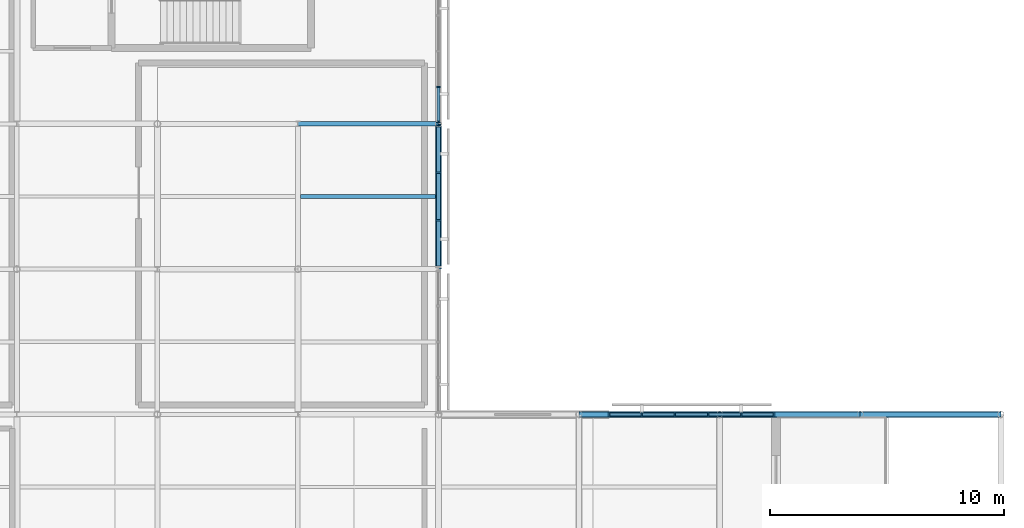
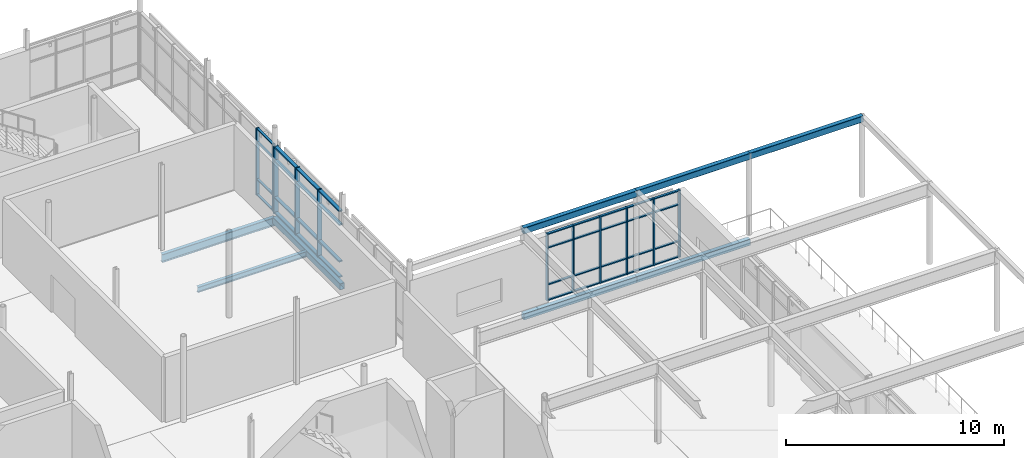
# One storey, part 32 of 48: 47 members, 8 beams, 3 elements without a shape of their own.
"""IFC4 building model written with IfcOpenShell, lengths in metres."""

from ifc_helpers import new_model, si_unit, direction, frame, origin, origin_2d, place, context, subcontext, project, spatial, rectangle, hollow_rectangle, i_section, extrude, material, layer, layer_set, material_profile, profile_set, type_object, element, aggregate, save


model = new_model("IFC4")

# Units and contexts
model_context = context("Model", 3, precision=1e-05, world=origin(), true_north=direction((0.0, 1.0)))
body_context = subcontext(model_context, "Body", "Model", "MODEL_VIEW")
ifc_project = project(units=[si_unit("LENGTHUNIT", "METRE"), si_unit("AREAUNIT", "SQUARE_METRE"), si_unit("VOLUMEUNIT", "CUBIC_METRE"), si_unit("PLANEANGLEUNIT", "RADIAN"), si_unit("MASSUNIT", "GRAM", prefix="KILO")], contexts=[model_context])

# Site, building, storey
site_placement = place(None, origin())
site = spatial("IfcSite", under=ifc_project, at=site_placement, CompositionType="ELEMENT")
building_placement = place(site_placement, origin())
building = spatial("IfcBuilding", under=site, at=building_placement, Name="Mirzam Square Science Centre", CompositionType="ELEMENT")
storey_placement = place(building_placement, frame((0.0, 0.0, 20.39990234375)))
storey = spatial("IfcBuildingStorey", under=building, at=storey_placement, Name="L04", CompositionType="ELEMENT", Elevation=20.39990234375)

# Beam
ifc_material_1 = material(Name="Steel S355", Category="steel")
ifc_material_profile_1 = material_profile(ifc_material_1, i_section(OverallWidth=0.19140625, OverallDepth=0.4599609375, WebThickness=0.010009765625, FlangeThickness=0.01611328125, FilletRadius=0.01025390625, at=origin_2d()), Name="457x191x82UB")
ifc_profile_set_1 = profile_set([ifc_material_profile_1], Name="Steel S355")
beam_type_1 = type_object("IfcBeamType", Name="BM-UB457", PredefinedType="BEAM", material=ifc_profile_set_1)
beam_1_placement = place(storey_placement, frame((132.0, 99.199951171875, -0.47998046875), z_axis=(1.0, 0.0, 0.0), x_axis=(0.0, 1.0, 0.0)))
element("IfcBeam", 1, at=beam_1_placement, inside=storey, type_object=beam_type_1, Name="L04 girder X23-17", PredefinedType="BEAM", context=body_context, shape_type="SweptSolid", body=[
    extrude(i_section(OverallWidth=0.19140625, OverallDepth=0.4599609375, WebThickness=0.010009765625, FlangeThickness=0.01611328125, FilletRadius=0.01025390625, at=origin_2d()), origin(), (0.0, 0.0, 1.0), 6.0),
])

# Curtain wall, members
ifc_material_2 = material(Name="Anodised Aluminium and Low-E Solar Glass", Category="aluminium")
ifc_layer_1 = layer(ifc_material_2, 0.159912109375)
ifc_layer_set_1 = layer_set([ifc_layer_1], Name="CW-COURT-B")
curtain_wall_type_1 = type_object("IfcCurtainWallType", Name="CW-COURT-B", PredefinedType="USERDEFINED", material=ifc_layer_set_1)
curtain_wall_1_placement = place(storey_placement, origin())
curtain_wall_1 = element("IfcCurtainWall", 2, at=curtain_wall_1_placement, inside=storey, type_object=curtain_wall_type_1, Name="L04 unitised curtain wall 152", ObjectType="UNITISED CURTAIN WALL", PredefinedType="USERDEFINED")
ifc_material_3 = material(Name="Anodised Architectural Aluminium 6063-T6", Category="aluminium")
ifc_material_profile_2 = material_profile(ifc_material_3, rectangle(XDim=0.06005859375, YDim=0.159912109375, at=origin_2d()), Name="ALU-MULL-160x60x4")
ifc_profile_set_2 = profile_set([ifc_material_profile_2], Name="Anodised Architectural Aluminium 6063-T6")
member_type_1 = type_object("IfcMemberType", Name="CWM-160", PredefinedType="MULLION", material=ifc_profile_set_2)
member_1_placement = place(storey_placement, frame((152.31494140625, 86.800048828125, 0.0), z_axis=(0.0, 0.0, 1.0), x_axis=(-1.0, 0.0, 0.0)))
member_1 = element("IfcMember", 3, at=member_1_placement, type_object=member_type_1, Name="CW-04 mullion 1", PredefinedType="MULLION", context=body_context, shape_type="SweptSolid", body=[
    extrude(rectangle(XDim=0.06005859375, YDim=0.159912109375, at=origin_2d()), origin(), (0.0, 0.0, 1.0), 3.760009765625),
])
member_2_placement = place(storey_placement, frame((150.927001953125, 86.800048828125, 0.0), z_axis=(0.0, 0.0, 1.0), x_axis=(-1.0, 0.0, 0.0)))
member_2 = element("IfcMember", 4, at=member_2_placement, type_object=member_type_1, Name="CW-04 mullion 2", PredefinedType="MULLION", context=body_context, shape_type="SweptSolid", body=[
    extrude(rectangle(XDim=0.06005859375, YDim=0.159912109375, at=origin_2d()), origin(), (0.0, 0.0, 1.0), 3.760009765625),
])
member_3_placement = place(storey_placement, frame((149.509033203125, 86.800048828125, 0.0), z_axis=(0.0, 0.0, 1.0), x_axis=(-1.0, 0.0, 0.0)))
member_3 = element("IfcMember", 5, at=member_3_placement, type_object=member_type_1, Name="CW-04 mullion 3", PredefinedType="MULLION", context=body_context, shape_type="SweptSolid", body=[
    extrude(rectangle(XDim=0.06005859375, YDim=0.159912109375, at=origin_2d()), origin(), (0.0, 0.0, 1.0), 3.760009765625),
])
member_4_placement = place(storey_placement, frame((148.091064453125, 86.800048828125, 0.0), z_axis=(0.0, 0.0, 1.0), x_axis=(-1.0, 0.0, 0.0)))
member_4 = element("IfcMember", 6, at=member_4_placement, type_object=member_type_1, Name="CW-04 mullion 4", PredefinedType="MULLION", context=body_context, shape_type="SweptSolid", body=[
    extrude(rectangle(XDim=0.06005859375, YDim=0.159912109375, at=origin_2d()), origin(), (0.0, 0.0, 1.0), 3.760009765625),
])
member_5_placement = place(storey_placement, frame((146.673095703125, 86.800048828125, 0.0), z_axis=(0.0, 0.0, 1.0), x_axis=(-1.0, 0.0, 0.0)))
member_5 = element("IfcMember", 7, at=member_5_placement, type_object=member_type_1, Name="CW-04 mullion 5", PredefinedType="MULLION", context=body_context, shape_type="SweptSolid", body=[
    extrude(rectangle(XDim=0.06005859375, YDim=0.159912109375, at=origin_2d()), origin(), (0.0, 0.0, 1.0), 3.760009765625),
])
member_6_placement = place(storey_placement, frame((145.284912109375, 86.800048828125, 0.0), z_axis=(0.0, 0.0, 1.0), x_axis=(-1.0, 0.0, 0.0)))
member_6 = element("IfcMember", 8, at=member_6_placement, type_object=member_type_1, Name="CW-04 mullion 6", PredefinedType="MULLION", context=body_context, shape_type="SweptSolid", body=[
    extrude(rectangle(XDim=0.06005859375, YDim=0.159912109375, at=origin_2d()), origin(), (0.0, 0.0, 1.0), 3.760009765625),
])

ifc_layer_2 = layer(ifc_material_2, 0.219970703125)
ifc_layer_set_2 = layer_set([ifc_layer_2], Name="CW-OBS-A")
curtain_wall_type_2 = type_object("IfcCurtainWallType", Name="CW-OBS-A", PredefinedType="USERDEFINED", material=ifc_layer_set_2)
curtain_wall_2_placement = place(storey_placement, origin())
curtain_wall_2 = element("IfcCurtainWall", 9, at=curtain_wall_2_placement, inside=storey, type_object=curtain_wall_type_2, Name="L04 unitised curtain wall 163", ObjectType="UNITISED CURTAIN WALL", PredefinedType="USERDEFINED")
member_7_placement = place(storey_placement, frame((138.0, 99.284912109375, 0.0), z_axis=(0.0, 0.0, 1.0), x_axis=(0.0, 1.0, 0.0)))
member_7 = element("IfcMember", 10, at=member_7_placement, type_object=member_type_1, Name="CW-07 mullion 1", PredefinedType="MULLION", context=body_context, shape_type="SweptSolid", body=[
    extrude(rectangle(XDim=0.06005859375, YDim=0.159912109375, at=origin_2d()), origin(), (0.0, 0.0, 1.0), 3.760009765625),
])
member_8_placement = place(storey_placement, frame((138.0, 100.777587890625, 0.0), z_axis=(0.0, 0.0, 1.0), x_axis=(0.0, 1.0, 0.0)))
member_8 = element("IfcMember", 11, at=member_8_placement, type_object=member_type_1, Name="CW-07 mullion 2", PredefinedType="MULLION", context=body_context, shape_type="SweptSolid", body=[
    extrude(rectangle(XDim=0.06005859375, YDim=0.159912109375, at=origin_2d()), origin(), (0.0, 0.0, 1.0), 3.760009765625),
])

ifc_layer_3 = layer(ifc_material_2, 0.239990234375)
ifc_layer_set_3 = layer_set([ifc_layer_3], Name="CW-EAST-B")
curtain_wall_type_3 = type_object("IfcCurtainWallType", Name="CW-EAST-B", PredefinedType="USERDEFINED", material=ifc_layer_set_3)
curtain_wall_3_placement = place(storey_placement, origin())
curtain_wall_3 = element("IfcCurtainWall", 12, at=curtain_wall_3_placement, inside=storey, type_object=curtain_wall_type_3, Name="L04 unitised curtain wall 161", ObjectType="UNITISED CURTAIN WALL", PredefinedType="USERDEFINED")
ifc_material_profile_3 = material_profile(ifc_material_3, rectangle(XDim=0.074951171875, YDim=0.239990234375, at=origin_2d()), Name="ALU-MULL-240x75x5")
ifc_profile_set_3 = profile_set([ifc_material_profile_3], Name="Anodised Architectural Aluminium 6063-T6")
member_type_2 = type_object("IfcMemberType", Name="CWM-240", PredefinedType="MULLION", material=ifc_profile_set_3)
member_9_placement = place(storey_placement, frame((138.0, 95.0849609375, 0.0), z_axis=(0.0, 0.0, 1.0), x_axis=(0.0, 1.0, 0.0)))
member_9 = element("IfcMember", 13, at=member_9_placement, type_object=member_type_2, Name="CW-06 mullion 2", PredefinedType="MULLION", context=body_context, shape_type="SweptSolid", body=[
    extrude(rectangle(XDim=0.074951171875, YDim=0.239990234375, at=origin_2d()), origin(), (0.0, 0.0, 1.0), 3.760009765625),
])
member_10_placement = place(storey_placement, frame((138.0, 97.114990234375, 0.0), z_axis=(0.0, 0.0, 1.0), x_axis=(0.0, 1.0, 0.0)))
member_10 = element("IfcMember", 14, at=member_10_placement, type_object=member_type_2, Name="CW-06 mullion 3", PredefinedType="MULLION", context=body_context, shape_type="SweptSolid", body=[
    extrude(rectangle(XDim=0.074951171875, YDim=0.239990234375, at=origin_2d()), origin(), (0.0, 0.0, 1.0), 3.760009765625),
])
member_11_placement = place(storey_placement, frame((138.0, 99.107421875, 0.0), z_axis=(0.0, 0.0, 1.0), x_axis=(0.0, 1.0, 0.0)))
member_11 = element("IfcMember", 15, at=member_11_placement, type_object=member_type_2, Name="CW-06 mullion 4", PredefinedType="MULLION", context=body_context, shape_type="SweptSolid", body=[
    extrude(rectangle(XDim=0.074951171875, YDim=0.239990234375, at=origin_2d()), origin(), (0.0, 0.0, 1.0), 3.760009765625),
])

# Member
ifc_material_profile_4 = material_profile(ifc_material_3, rectangle(XDim=0.1201171875, YDim=0.06005859375, at=origin_2d()), Name="ALU-TRAN-120x60x4")
ifc_profile_set_4 = profile_set([ifc_material_profile_4], Name="Anodised Architectural Aluminium 6063-T6")
member_type_3 = type_object("IfcMemberType", Name="CWT-120", PredefinedType="USERDEFINED", material=ifc_profile_set_4)
member_12_placement = place(storey_placement, frame((152.284912109375, 86.800048828125, 0.030029296875), z_axis=(-1.0, 0.0, 0.0), x_axis=(0.0, -1.0, 0.0)))
member_12 = element("IfcMember", 16, at=member_12_placement, type_object=member_type_3, Name="CW-04 transom 1.1", ObjectType="TRANSOM", PredefinedType="USERDEFINED", context=body_context, shape_type="SweptSolid", body=[
    extrude(rectangle(XDim=0.1201171875, YDim=0.06005859375, at=origin_2d()), origin(), (0.0, 0.0, 1.0), 1.327880859375),
])

member_13_placement = place(storey_placement, frame((152.284912109375, 86.800048828125, 0.900146484375), z_axis=(-1.0, 0.0, 0.0), x_axis=(0.0, -1.0, 0.0)))
member_13 = element("IfcMember", 17, at=member_13_placement, type_object=member_type_3, Name="CW-04 transom 1.2", ObjectType="TRANSOM", PredefinedType="USERDEFINED", context=body_context, shape_type="SweptSolid", body=[
    extrude(rectangle(XDim=0.1201171875, YDim=0.06005859375, at=origin_2d()), origin(), (0.0, 0.0, 1.0), 1.327880859375),
])

member_14_placement = place(storey_placement, frame((152.284912109375, 86.800048828125, 2.960205078125), z_axis=(-1.0, 0.0, 0.0), x_axis=(0.0, -1.0, 0.0)))
member_14 = element("IfcMember", 18, at=member_14_placement, type_object=member_type_3, Name="CW-04 transom 1.3", ObjectType="TRANSOM", PredefinedType="USERDEFINED", context=body_context, shape_type="SweptSolid", body=[
    extrude(rectangle(XDim=0.1201171875, YDim=0.06005859375, at=origin_2d()), origin(), (0.0, 0.0, 1.0), 1.327880859375),
])

member_15_placement = place(storey_placement, frame((152.284912109375, 86.800048828125, 3.72998046875), z_axis=(-1.0, 0.0, 0.0), x_axis=(0.0, -1.0, 0.0)))
member_15 = element("IfcMember", 19, at=member_15_placement, type_object=member_type_3, Name="CW-04 transom 1.4", ObjectType="TRANSOM", PredefinedType="USERDEFINED", context=body_context, shape_type="SweptSolid", body=[
    extrude(rectangle(XDim=0.1201171875, YDim=0.06005859375, at=origin_2d()), origin(), (0.0, 0.0, 1.0), 1.327880859375),
])

member_16_placement = place(storey_placement, frame((150.89697265625, 86.800048828125, 0.030029296875), z_axis=(-1.0, 0.0, 0.0), x_axis=(0.0, -1.0, 0.0)))
member_16 = element("IfcMember", 20, at=member_16_placement, type_object=member_type_3, Name="CW-04 transom 2.1", ObjectType="TRANSOM", PredefinedType="USERDEFINED", context=body_context, shape_type="SweptSolid", body=[
    extrude(rectangle(XDim=0.1201171875, YDim=0.06005859375, at=origin_2d()), origin(), (0.0, 0.0, 1.0), 1.35791015625),
])

member_17_placement = place(storey_placement, frame((150.89697265625, 86.800048828125, 0.900146484375), z_axis=(-1.0, 0.0, 0.0), x_axis=(0.0, -1.0, 0.0)))
member_17 = element("IfcMember", 21, at=member_17_placement, type_object=member_type_3, Name="CW-04 transom 2.2", ObjectType="TRANSOM", PredefinedType="USERDEFINED", context=body_context, shape_type="SweptSolid", body=[
    extrude(rectangle(XDim=0.1201171875, YDim=0.06005859375, at=origin_2d()), origin(), (0.0, 0.0, 1.0), 1.35791015625),
])

member_18_placement = place(storey_placement, frame((150.89697265625, 86.800048828125, 2.960205078125), z_axis=(-1.0, 0.0, 0.0), x_axis=(0.0, -1.0, 0.0)))
member_18 = element("IfcMember", 22, at=member_18_placement, type_object=member_type_3, Name="CW-04 transom 2.3", ObjectType="TRANSOM", PredefinedType="USERDEFINED", context=body_context, shape_type="SweptSolid", body=[
    extrude(rectangle(XDim=0.1201171875, YDim=0.06005859375, at=origin_2d()), origin(), (0.0, 0.0, 1.0), 1.35791015625),
])

member_19_placement = place(storey_placement, frame((150.89697265625, 86.800048828125, 3.72998046875), z_axis=(-1.0, 0.0, 0.0), x_axis=(0.0, -1.0, 0.0)))
member_19 = element("IfcMember", 23, at=member_19_placement, type_object=member_type_3, Name="CW-04 transom 2.4", ObjectType="TRANSOM", PredefinedType="USERDEFINED", context=body_context, shape_type="SweptSolid", body=[
    extrude(rectangle(XDim=0.1201171875, YDim=0.06005859375, at=origin_2d()), origin(), (0.0, 0.0, 1.0), 1.35791015625),
])

member_20_placement = place(storey_placement, frame((149.47900390625, 86.800048828125, 0.030029296875), z_axis=(-1.0, 0.0, 0.0), x_axis=(0.0, -1.0, 0.0)))
member_20 = element("IfcMember", 24, at=member_20_placement, type_object=member_type_3, Name="CW-04 transom 3.1", ObjectType="TRANSOM", PredefinedType="USERDEFINED", context=body_context, shape_type="SweptSolid", body=[
    extrude(rectangle(XDim=0.1201171875, YDim=0.06005859375, at=origin_2d()), origin(), (0.0, 0.0, 1.0), 1.35791015625),
])

member_21_placement = place(storey_placement, frame((149.47900390625, 86.800048828125, 0.900146484375), z_axis=(-1.0, 0.0, 0.0), x_axis=(0.0, -1.0, 0.0)))
member_21 = element("IfcMember", 25, at=member_21_placement, type_object=member_type_3, Name="CW-04 transom 3.2", ObjectType="TRANSOM", PredefinedType="USERDEFINED", context=body_context, shape_type="SweptSolid", body=[
    extrude(rectangle(XDim=0.1201171875, YDim=0.06005859375, at=origin_2d()), origin(), (0.0, 0.0, 1.0), 1.35791015625),
])

member_22_placement = place(storey_placement, frame((149.47900390625, 86.800048828125, 2.960205078125), z_axis=(-1.0, 0.0, 0.0), x_axis=(0.0, -1.0, 0.0)))
member_22 = element("IfcMember", 26, at=member_22_placement, type_object=member_type_3, Name="CW-04 transom 3.3", ObjectType="TRANSOM", PredefinedType="USERDEFINED", context=body_context, shape_type="SweptSolid", body=[
    extrude(rectangle(XDim=0.1201171875, YDim=0.06005859375, at=origin_2d()), origin(), (0.0, 0.0, 1.0), 1.35791015625),
])

member_23_placement = place(storey_placement, frame((149.47900390625, 86.800048828125, 3.72998046875), z_axis=(-1.0, 0.0, 0.0), x_axis=(0.0, -1.0, 0.0)))
member_23 = element("IfcMember", 27, at=member_23_placement, type_object=member_type_3, Name="CW-04 transom 3.4", ObjectType="TRANSOM", PredefinedType="USERDEFINED", context=body_context, shape_type="SweptSolid", body=[
    extrude(rectangle(XDim=0.1201171875, YDim=0.06005859375, at=origin_2d()), origin(), (0.0, 0.0, 1.0), 1.35791015625),
])

member_24_placement = place(storey_placement, frame((148.06103515625, 86.800048828125, 0.030029296875), z_axis=(-1.0, 0.0, 0.0), x_axis=(0.0, -1.0, 0.0)))
member_24 = element("IfcMember", 28, at=member_24_placement, type_object=member_type_3, Name="CW-04 transom 4.1", ObjectType="TRANSOM", PredefinedType="USERDEFINED", context=body_context, shape_type="SweptSolid", body=[
    extrude(rectangle(XDim=0.1201171875, YDim=0.06005859375, at=origin_2d()), origin(), (0.0, 0.0, 1.0), 1.358154296875),
])

member_25_placement = place(storey_placement, frame((148.06103515625, 86.800048828125, 0.900146484375), z_axis=(-1.0, 0.0, 0.0), x_axis=(0.0, -1.0, 0.0)))
member_25 = element("IfcMember", 29, at=member_25_placement, type_object=member_type_3, Name="CW-04 transom 4.2", ObjectType="TRANSOM", PredefinedType="USERDEFINED", context=body_context, shape_type="SweptSolid", body=[
    extrude(rectangle(XDim=0.1201171875, YDim=0.06005859375, at=origin_2d()), origin(), (0.0, 0.0, 1.0), 1.358154296875),
])

member_26_placement = place(storey_placement, frame((148.06103515625, 86.800048828125, 2.960205078125), z_axis=(-1.0, 0.0, 0.0), x_axis=(0.0, -1.0, 0.0)))
member_26 = element("IfcMember", 30, at=member_26_placement, type_object=member_type_3, Name="CW-04 transom 4.3", ObjectType="TRANSOM", PredefinedType="USERDEFINED", context=body_context, shape_type="SweptSolid", body=[
    extrude(rectangle(XDim=0.1201171875, YDim=0.06005859375, at=origin_2d()), origin(), (0.0, 0.0, 1.0), 1.358154296875),
])

member_27_placement = place(storey_placement, frame((148.06103515625, 86.800048828125, 3.72998046875), z_axis=(-1.0, 0.0, 0.0), x_axis=(0.0, -1.0, 0.0)))
member_27 = element("IfcMember", 31, at=member_27_placement, type_object=member_type_3, Name="CW-04 transom 4.4", ObjectType="TRANSOM", PredefinedType="USERDEFINED", context=body_context, shape_type="SweptSolid", body=[
    extrude(rectangle(XDim=0.1201171875, YDim=0.06005859375, at=origin_2d()), origin(), (0.0, 0.0, 1.0), 1.358154296875),
])

member_28_placement = place(storey_placement, frame((146.64306640625, 86.800048828125, 0.030029296875), z_axis=(-1.0, 0.0, 0.0), x_axis=(0.0, -1.0, 0.0)))
member_28 = element("IfcMember", 32, at=member_28_placement, type_object=member_type_3, Name="CW-04 transom 5.1", ObjectType="TRANSOM", PredefinedType="USERDEFINED", context=body_context, shape_type="SweptSolid", body=[
    extrude(rectangle(XDim=0.1201171875, YDim=0.06005859375, at=origin_2d()), origin(), (0.0, 0.0, 1.0), 1.328125),
])

member_29_placement = place(storey_placement, frame((146.64306640625, 86.800048828125, 0.900146484375), z_axis=(-1.0, 0.0, 0.0), x_axis=(0.0, -1.0, 0.0)))
member_29 = element("IfcMember", 33, at=member_29_placement, type_object=member_type_3, Name="CW-04 transom 5.2", ObjectType="TRANSOM", PredefinedType="USERDEFINED", context=body_context, shape_type="SweptSolid", body=[
    extrude(rectangle(XDim=0.1201171875, YDim=0.06005859375, at=origin_2d()), origin(), (0.0, 0.0, 1.0), 1.328125),
])

member_30_placement = place(storey_placement, frame((146.64306640625, 86.800048828125, 2.960205078125), z_axis=(-1.0, 0.0, 0.0), x_axis=(0.0, -1.0, 0.0)))
member_30 = element("IfcMember", 34, at=member_30_placement, type_object=member_type_3, Name="CW-04 transom 5.3", ObjectType="TRANSOM", PredefinedType="USERDEFINED", context=body_context, shape_type="SweptSolid", body=[
    extrude(rectangle(XDim=0.1201171875, YDim=0.06005859375, at=origin_2d()), origin(), (0.0, 0.0, 1.0), 1.328125),
])

member_31_placement = place(storey_placement, frame((146.64306640625, 86.800048828125, 3.72998046875), z_axis=(-1.0, 0.0, 0.0), x_axis=(0.0, -1.0, 0.0)))
member_31 = element("IfcMember", 35, at=member_31_placement, type_object=member_type_3, Name="CW-04 transom 5.4", ObjectType="TRANSOM", PredefinedType="USERDEFINED", context=body_context, shape_type="SweptSolid", body=[
    extrude(rectangle(XDim=0.1201171875, YDim=0.06005859375, at=origin_2d()), origin(), (0.0, 0.0, 1.0), 1.328125),
])

aggregate(curtain_wall_1, [member_1, member_2, member_3, member_4, member_5, member_6, member_12, member_13, member_14, member_15, member_16, member_17, member_18, member_19, member_20, member_21, member_22, member_23, member_24, member_25, member_26, member_27, member_28, member_29, member_30, member_31])

member_32_placement = place(storey_placement, frame((138.0, 99.31494140625, 0.030029296875), z_axis=(0.0, 1.0, 0.0), x_axis=(-1.0, 0.0, 0.0)))
member_32 = element("IfcMember", 36, at=member_32_placement, type_object=member_type_3, Name="CW-07 transom 1.1", ObjectType="TRANSOM", PredefinedType="USERDEFINED", context=body_context, shape_type="SweptSolid", body=[
    extrude(rectangle(XDim=0.1201171875, YDim=0.06005859375, at=origin_2d()), origin(), (0.0, 0.0, 1.0), 1.4326171875),
])

member_33_placement = place(storey_placement, frame((138.0, 99.31494140625, 0.900146484375), z_axis=(0.0, 1.0, 0.0), x_axis=(-1.0, 0.0, 0.0)))
member_33 = element("IfcMember", 37, at=member_33_placement, type_object=member_type_3, Name="CW-07 transom 1.2", ObjectType="TRANSOM", PredefinedType="USERDEFINED", context=body_context, shape_type="SweptSolid", body=[
    extrude(rectangle(XDim=0.1201171875, YDim=0.06005859375, at=origin_2d()), origin(), (0.0, 0.0, 1.0), 1.4326171875),
])

member_34_placement = place(storey_placement, frame((138.0, 99.31494140625, 2.960205078125), z_axis=(0.0, 1.0, 0.0), x_axis=(-1.0, 0.0, 0.0)))
member_34 = element("IfcMember", 38, at=member_34_placement, type_object=member_type_3, Name="CW-07 transom 1.3", ObjectType="TRANSOM", PredefinedType="USERDEFINED", context=body_context, shape_type="SweptSolid", body=[
    extrude(rectangle(XDim=0.1201171875, YDim=0.06005859375, at=origin_2d()), origin(), (0.0, 0.0, 1.0), 1.4326171875),
])

member_35_placement = place(storey_placement, frame((138.0, 99.31494140625, 3.72998046875), z_axis=(0.0, 1.0, 0.0), x_axis=(-1.0, 0.0, 0.0)))
member_35 = element("IfcMember", 39, at=member_35_placement, type_object=member_type_3, Name="CW-07 transom 1.4", ObjectType="TRANSOM", PredefinedType="USERDEFINED", context=body_context, shape_type="SweptSolid", body=[
    extrude(rectangle(XDim=0.1201171875, YDim=0.06005859375, at=origin_2d()), origin(), (0.0, 0.0, 1.0), 1.4326171875),
])

aggregate(curtain_wall_2, [member_7, member_8, member_32, member_33, member_34, member_35])

ifc_material_profile_5 = material_profile(ifc_material_3, rectangle(XDim=0.179931640625, YDim=0.074951171875, at=origin_2d()), Name="ALU-TRAN-180x75x5")
ifc_profile_set_5 = profile_set([ifc_material_profile_5], Name="Anodised Architectural Aluminium 6063-T6")
member_type_4 = type_object("IfcMemberType", Name="CWT-180", PredefinedType="USERDEFINED", material=ifc_profile_set_5)
member_36_placement = place(storey_placement, frame((138.0, 93.1298828125, 0.03759765625), z_axis=(0.0, 1.0, 0.0), x_axis=(-1.0, 0.0, 0.0)))
member_36 = element("IfcMember", 40, at=member_36_placement, type_object=member_type_4, Name="CW-06 transom 1.1", ObjectType="TRANSOM", PredefinedType="USERDEFINED", context=body_context, shape_type="SweptSolid", body=[
    extrude(rectangle(XDim=0.179931640625, YDim=0.074951171875, at=origin_2d()), origin(), (0.0, 0.0, 1.0), 1.917724609375),
])

member_37_placement = place(storey_placement, frame((138.0, 93.1298828125, 0.900146484375), z_axis=(0.0, 1.0, 0.0), x_axis=(-1.0, 0.0, 0.0)))
member_37 = element("IfcMember", 41, at=member_37_placement, type_object=member_type_4, Name="CW-06 transom 1.2", ObjectType="TRANSOM", PredefinedType="USERDEFINED", context=body_context, shape_type="SweptSolid", body=[
    extrude(rectangle(XDim=0.179931640625, YDim=0.074951171875, at=origin_2d()), origin(), (0.0, 0.0, 1.0), 1.917724609375),
])

member_38_placement = place(storey_placement, frame((138.0, 93.1298828125, 2.960205078125), z_axis=(0.0, 1.0, 0.0), x_axis=(-1.0, 0.0, 0.0)))
member_38 = element("IfcMember", 42, at=member_38_placement, type_object=member_type_4, Name="CW-06 transom 1.3", ObjectType="TRANSOM", PredefinedType="USERDEFINED", context=body_context, shape_type="SweptSolid", body=[
    extrude(rectangle(XDim=0.179931640625, YDim=0.074951171875, at=origin_2d()), origin(), (0.0, 0.0, 1.0), 1.917724609375),
])

member_39_placement = place(storey_placement, frame((138.0, 93.1298828125, 3.72265625), z_axis=(0.0, 1.0, 0.0), x_axis=(-1.0, 0.0, 0.0)))
member_39 = element("IfcMember", 43, at=member_39_placement, type_object=member_type_4, Name="CW-06 transom 1.4", ObjectType="TRANSOM", PredefinedType="USERDEFINED", context=body_context, shape_type="SweptSolid", body=[
    extrude(rectangle(XDim=0.179931640625, YDim=0.074951171875, at=origin_2d()), origin(), (0.0, 0.0, 1.0), 1.917724609375),
])

member_40_placement = place(storey_placement, frame((138.0, 95.12255859375, 0.03759765625), z_axis=(0.0, 1.0, 0.0), x_axis=(-1.0, 0.0, 0.0)))
member_40 = element("IfcMember", 44, at=member_40_placement, type_object=member_type_4, Name="CW-06 transom 2.1", ObjectType="TRANSOM", PredefinedType="USERDEFINED", context=body_context, shape_type="SweptSolid", body=[
    extrude(rectangle(XDim=0.179931640625, YDim=0.074951171875, at=origin_2d()), origin(), (0.0, 0.0, 1.0), 1.954833984375),
])

member_41_placement = place(storey_placement, frame((138.0, 95.12255859375, 0.900146484375), z_axis=(0.0, 1.0, 0.0), x_axis=(-1.0, 0.0, 0.0)))
member_41 = element("IfcMember", 45, at=member_41_placement, type_object=member_type_4, Name="CW-06 transom 2.2", ObjectType="TRANSOM", PredefinedType="USERDEFINED", context=body_context, shape_type="SweptSolid", body=[
    extrude(rectangle(XDim=0.179931640625, YDim=0.074951171875, at=origin_2d()), origin(), (0.0, 0.0, 1.0), 1.954833984375),
])

member_42_placement = place(storey_placement, frame((138.0, 95.12255859375, 2.960205078125), z_axis=(0.0, 1.0, 0.0), x_axis=(-1.0, 0.0, 0.0)))
member_42 = element("IfcMember", 46, at=member_42_placement, type_object=member_type_4, Name="CW-06 transom 2.3", ObjectType="TRANSOM", PredefinedType="USERDEFINED", context=body_context, shape_type="SweptSolid", body=[
    extrude(rectangle(XDim=0.179931640625, YDim=0.074951171875, at=origin_2d()), origin(), (0.0, 0.0, 1.0), 1.954833984375),
])

member_43_placement = place(storey_placement, frame((138.0, 95.12255859375, 3.72265625), z_axis=(0.0, 1.0, 0.0), x_axis=(-1.0, 0.0, 0.0)))
member_43 = element("IfcMember", 47, at=member_43_placement, type_object=member_type_4, Name="CW-06 transom 2.4", ObjectType="TRANSOM", PredefinedType="USERDEFINED", context=body_context, shape_type="SweptSolid", body=[
    extrude(rectangle(XDim=0.179931640625, YDim=0.074951171875, at=origin_2d()), origin(), (0.0, 0.0, 1.0), 1.954833984375),
])

member_44_placement = place(storey_placement, frame((138.0, 97.152587890625, 0.03759765625), z_axis=(0.0, 1.0, 0.0), x_axis=(-1.0, 0.0, 0.0)))
member_44 = element("IfcMember", 48, at=member_44_placement, type_object=member_type_4, Name="CW-06 transom 3.1", ObjectType="TRANSOM", PredefinedType="USERDEFINED", context=body_context, shape_type="SweptSolid", body=[
    extrude(rectangle(XDim=0.179931640625, YDim=0.074951171875, at=origin_2d()), origin(), (0.0, 0.0, 1.0), 1.91748046875),
])

member_45_placement = place(storey_placement, frame((138.0, 97.152587890625, 0.900146484375), z_axis=(0.0, 1.0, 0.0), x_axis=(-1.0, 0.0, 0.0)))
member_45 = element("IfcMember", 49, at=member_45_placement, type_object=member_type_4, Name="CW-06 transom 3.2", ObjectType="TRANSOM", PredefinedType="USERDEFINED", context=body_context, shape_type="SweptSolid", body=[
    extrude(rectangle(XDim=0.179931640625, YDim=0.074951171875, at=origin_2d()), origin(), (0.0, 0.0, 1.0), 1.91748046875),
])

member_46_placement = place(storey_placement, frame((138.0, 97.152587890625, 2.960205078125), z_axis=(0.0, 1.0, 0.0), x_axis=(-1.0, 0.0, 0.0)))
member_46 = element("IfcMember", 50, at=member_46_placement, type_object=member_type_4, Name="CW-06 transom 3.3", ObjectType="TRANSOM", PredefinedType="USERDEFINED", context=body_context, shape_type="SweptSolid", body=[
    extrude(rectangle(XDim=0.179931640625, YDim=0.074951171875, at=origin_2d()), origin(), (0.0, 0.0, 1.0), 1.91748046875),
])

member_47_placement = place(storey_placement, frame((138.0, 97.152587890625, 3.72265625), z_axis=(0.0, 1.0, 0.0), x_axis=(-1.0, 0.0, 0.0)))
member_47 = element("IfcMember", 51, at=member_47_placement, type_object=member_type_4, Name="CW-06 transom 3.4", ObjectType="TRANSOM", PredefinedType="USERDEFINED", context=body_context, shape_type="SweptSolid", body=[
    extrude(rectangle(XDim=0.179931640625, YDim=0.074951171875, at=origin_2d()), origin(), (0.0, 0.0, 1.0), 1.91748046875),
])

aggregate(curtain_wall_3, [member_9, member_10, member_11, member_36, member_37, member_38, member_39, member_40, member_41, member_42, member_43, member_44, member_45, member_46, member_47])

# Beams
ifc_material_profile_6 = material_profile(ifc_material_1, i_section(OverallWidth=0.165771484375, OverallDepth=0.306640625, WebThickness=0.006591796875, FlangeThickness=0.01171875, FilletRadius=0.0087890625, at=origin_2d()), Name="305x165x46UB")
ifc_profile_set_6 = profile_set([ifc_material_profile_6], Name="Steel S355")
beam_type_2 = type_object("IfcBeamType", Name="JS-UB305", PredefinedType="JOIST", material=ifc_profile_set_6)
beam_2_placement = place(storey_placement, frame((132.10498046875, 96.10009765625, -0.4033203125), z_axis=(1.0, 0.0, 0.0), x_axis=(0.0, 1.0, 0.0)))
element("IfcBeam", 52, at=beam_2_placement, inside=storey, type_object=beam_type_2, Name="L04 composite joist 23-16", PredefinedType="JOIST", context=body_context, shape_type="SweptSolid", body=[
    extrude(i_section(OverallWidth=0.165771484375, OverallDepth=0.306640625, WebThickness=0.006591796875, FlangeThickness=0.01171875, FilletRadius=0.0087890625, at=origin_2d()), origin(), (0.0, 0.0, 1.0), 5.77001953125),
])
ifc_material_profile_7 = material_profile(ifc_material_1, hollow_rectangle(XDim=0.25, YDim=0.35009765625, WallThickness=0.012451171875, InnerFilletRadius=0.012451171875, OuterFilletRadius=0.02490234375, at=origin_2d()), Name="350x250x12.5RHS")
ifc_profile_set_7 = profile_set([ifc_material_profile_7], Name="Steel S355")
beam_type_3 = type_object("IfcBeamType", Name="SP-RHS350", PredefinedType="SPANDREL", material=ifc_profile_set_7)
for number, where, z_axis, x_axis, name in (
    (53, (144.0, 86.800048828125, -0.4248046875), (1.0, 0.0, 0.0), (0.0, 1.0, 0.0), "L04 girder X25-15"),
    (54, (150.0, 86.800048828125, -0.4248046875), (1.0, 0.0, 0.0), (0.0, 1.0, 0.0), "L04 girder X26-15"),
):
    element("IfcBeam", number, at=place(storey_placement, frame(where, z_axis=z_axis, x_axis=x_axis)), inside=storey, type_object=beam_type_3, Name=name, PredefinedType="SPANDREL", context=body_context, shape_type="SweptSolid", body=[
        extrude(hollow_rectangle(XDim=0.25, YDim=0.35009765625, WallThickness=0.012451171875, InnerFilletRadius=0.012451171875, OuterFilletRadius=0.02490234375, at=origin_2d()), origin(), (0.0, 0.0, 1.0), 6.0),
    ])
beam_3_placement = place(storey_placement, frame((138.0, 93.0, -0.4248046875), z_axis=(0.0, 1.0, 0.0), x_axis=(-1.0, 0.0, 0.0)))
element("IfcBeam", 55, at=beam_3_placement, inside=storey, type_object=beam_type_3, Name="L04 girder Y24-16", PredefinedType="SPANDREL", context=body_context, shape_type="SweptSolid", body=[
    extrude(hollow_rectangle(XDim=0.25, YDim=0.35009765625, WallThickness=0.012451171875, InnerFilletRadius=0.012451171875, OuterFilletRadius=0.02490234375, at=origin_2d()), origin(), (0.0, 0.0, 1.0), 6.199951171875),
])
for number, where, z_axis, x_axis, name in (
    (56, (144.0, 86.800048828125, 4.39501953125), (1.0, 0.0, 0.0), (0.0, 1.0, 0.0), "Parasol N fascia beam 25"),
    (57, (150.0, 86.800048828125, 4.39501953125), (1.0, 0.0, 0.0), (0.0, 1.0, 0.0), "Parasol N fascia beam 26"),
    (58, (156.0, 86.800048828125, 4.39501953125), (1.0, 0.0, 0.0), (0.0, 1.0, 0.0), "Parasol N fascia beam 27"),
):
    element("IfcBeam", number, at=place(storey_placement, frame(where, z_axis=z_axis, x_axis=x_axis)), inside=storey, type_object=beam_type_3, Name=name, PredefinedType="SPANDREL", context=body_context, shape_type="SweptSolid", body=[
        extrude(hollow_rectangle(XDim=0.25, YDim=0.35009765625, WallThickness=0.012451171875, InnerFilletRadius=0.012451171875, OuterFilletRadius=0.02490234375, at=origin_2d()), origin(), (0.0, 0.0, 1.0), 6.0),
    ])

save(model, "model.ifc")
